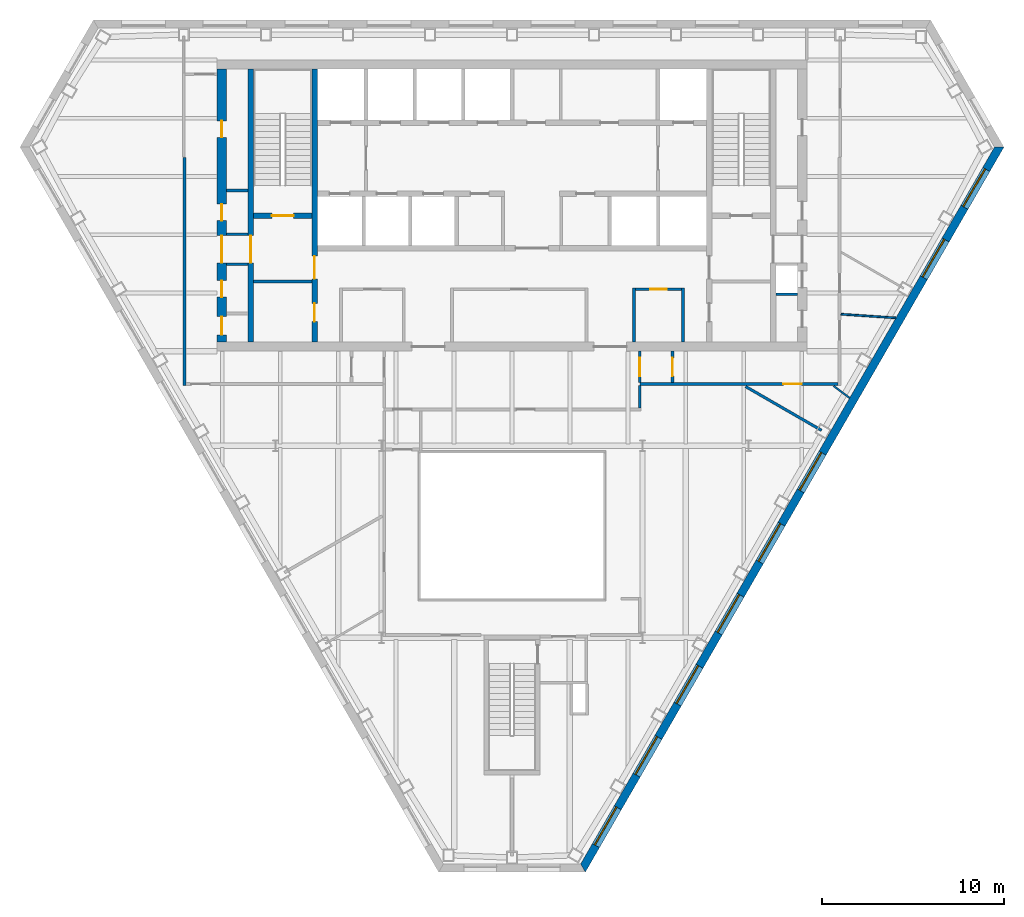
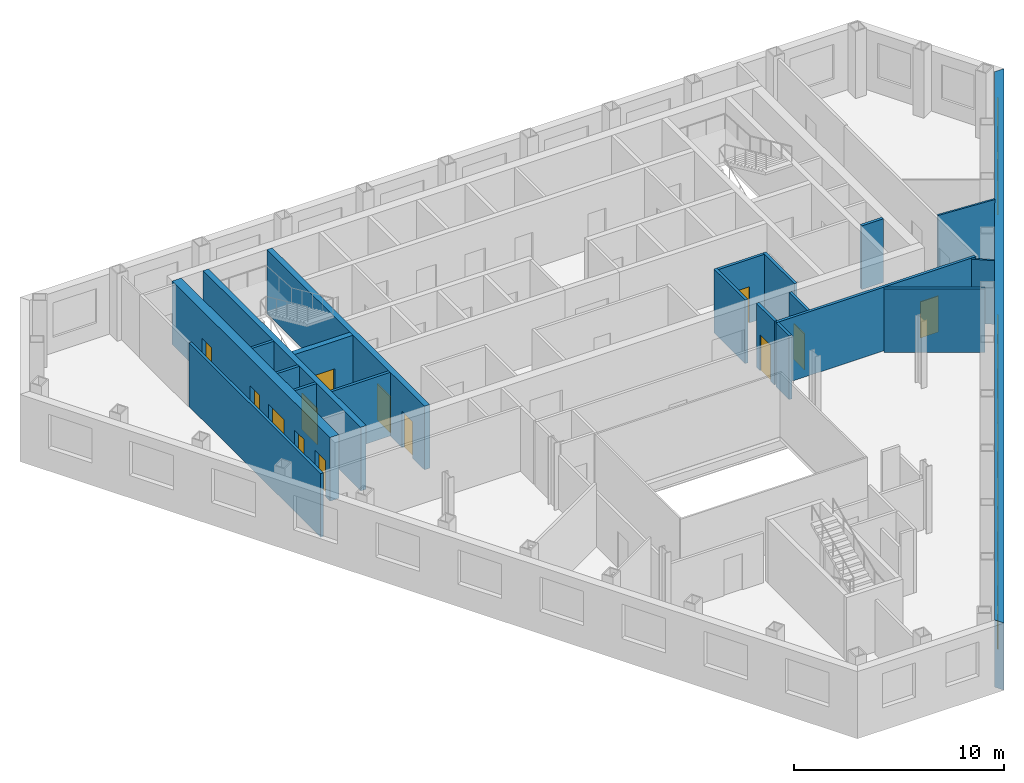
# One storey, part 5 of 11: 21 walls, 13 doors, 8 windows, 21 openings.
"""IFC4 building model written with IfcOpenShell, lengths in metres."""

from ifc_helpers import new_model, si_unit, direction, frame, frame_2d, origin, place, context, subcontext, project, spatial, polyline, rectangle, outline, extrude, material, layer, layer_set, type_object, element, fill, save


model = new_model("IFC4")

# Units and contexts
model_context = context("Model", 3, precision=1e-05, world=origin(), true_north=direction((0.0, 1.0)))
body_context = subcontext(model_context, "Body", "Model", "MODEL_VIEW")
ifc_project = project(units=[si_unit("LENGTHUNIT", "METRE"), si_unit("AREAUNIT", "SQUARE_METRE"), si_unit("VOLUMEUNIT", "CUBIC_METRE"), si_unit("PLANEANGLEUNIT", "RADIAN"), si_unit("MASSUNIT", "GRAM", prefix="KILO")], contexts=[model_context])

# Site, building, storey
site_placement = place(None, origin())
site = spatial("IfcSite", under=ifc_project, at=site_placement, CompositionType="ELEMENT")
building_placement = place(site_placement, origin())
building = spatial("IfcBuilding", under=site, at=building_placement, Name="Njiva Tower", CompositionType="ELEMENT")
storey_placement = place(building_placement, frame((0.0, 0.0, 178.8)))
storey = spatial("IfcBuildingStorey", under=building, at=storey_placement, Name="L39", CompositionType="ELEMENT", Elevation=178.8)

# Walls
ifc_material_1 = material(Name="Blockwork", Category="masonry")
ifc_layer_1 = layer(ifc_material_1, 0.15)
ifc_layer_set_1 = layer_set([ifc_layer_1], Name="Blockwork")
wall_type_1 = type_object("IfcWallType", Name="WT1 Compartment partition 150", PredefinedType="PARTITIONING", material=ifc_layer_set_1)
wall_1_placement = place(storey_placement, frame((-14.2, 5.825, 0.0), z_axis=(0.0, 0.0, 1.0), x_axis=(1.0, 0.0, 0.0)))
element("IfcWall", 1, at=wall_1_placement, inside=storey, type_object=wall_type_1, Name="Room wall A", PredefinedType="PARTITIONING", context=body_context, shape_type="SweptSolid", body=[
    extrude(rectangle(XDim=3.2, YDim=0.15, at=frame_2d((1.6, 0.0))), origin(), (0.0, 0.0, 1.0), 3.7),
])
for number, where, z_axis, x_axis, name in (
    (2, (6.7, 2.5, 0.0), (0.0, 0.0, 1.0), (0.0, 1.0, 0.0), "Information office wall west"),
    (3, (9.4, 2.5, 0.0), (0.0, 0.0, 1.0), (0.0, 1.0, 0.0), "Information office wall east"),
):
    element("IfcWall", number, at=place(storey_placement, frame(where, z_axis=z_axis, x_axis=x_axis)), inside=storey, type_object=wall_type_1, Name=name, PredefinedType="PARTITIONING", context=body_context, shape_type="SweptSolid", body=[
        extrude(rectangle(XDim=2.975, YDim=0.15, at=frame_2d((1.4875, 0.0))), origin(), (0.0, 0.0, 1.0), 3.7),
    ])

# Wall, opening, door
wall_2_placement = place(storey_placement, frame((6.775, 5.4, 0.0), z_axis=(0.0, 0.0, 1.0), x_axis=(1.0, 0.0, 0.0)))
wall_2 = element("IfcWall", 4, at=wall_2_placement, inside=storey, type_object=wall_type_1, Name="Information office wall north", PredefinedType="PARTITIONING", context=body_context, shape_type="SweptSolid", body=[
    extrude(rectangle(XDim=2.55, YDim=0.15, at=frame_2d((1.275, 0.0))), origin(), (0.0, 0.0, 1.0), 3.7),
])
opening_1_placement = place(wall_2_placement, frame((0.825, 0.0, 0.0)))
opening_1 = element("IfcOpeningElement", 5, at=opening_1_placement, cuts=wall_2, Name="Opening S13-D935", PredefinedType="OPENING", context=body_context, shape_type="SweptSolid", body=[
    extrude(rectangle(XDim=0.9, YDim=2.1, at=frame_2d((0.45, 1.05))), frame((0.0, 0.085, 0.0), z_axis=(0.0, -1.0, 0.0), x_axis=(1.0, 0.0, 0.0)), (0.0, 0.0, 1.0), 0.17),
])
ifc_material_2 = material(Name="Steel fire door, painted", Category="steel")
door_type_1 = type_object("IfcDoorType", Name="D6 Fire-rated door 900x2100", OperationType="SINGLE_SWING_LEFT", PredefinedType="DOOR", material=ifc_material_2)
door_1_placement = place(opening_1_placement, origin())
door_1 = element("IfcDoor", 6, at=door_1_placement, inside=storey, type_object=door_type_1, Name="Information office door", OperationType="SINGLE_SWING_RIGHT", OverallHeight=2.1, OverallWidth=0.9, PredefinedType="DOOR", context=body_context, shape_type="SweptSolid", body=[
    extrude(rectangle(XDim=0.9, YDim=2.1, at=frame_2d((0.45, 1.05))), frame((0.0, 0.025, 0.0), z_axis=(0.0, -1.0, 0.0), x_axis=(1.0, 0.0, 0.0)), (0.0, 0.0, 1.0), 0.05),
])
fill(opening_1, door_1)

# Wall, openings, doors
ifc_material_3 = material(Name="Concrete C40/50", Category="concrete")
ifc_layer_2 = layer(ifc_material_3, 0.3)
ifc_layer_set_2 = layer_set([ifc_layer_2], Name="Concrete C40/50")
wall_type_2 = type_object("IfcWallType", Name="WT10 Stair enclosure wall 300", PredefinedType="SHEAR", material=ifc_layer_set_2)
wall_3_placement = place(storey_placement, frame((-10.85, 2.5, 0.0), z_axis=(0.0, 0.0, 1.0), x_axis=(0.0, 1.0, 0.0)))
wall_3 = element("IfcWall", 7, at=wall_3_placement, inside=storey, type_object=wall_type_2, Name="Stair wall west inner", PredefinedType="SHEAR", context=body_context, shape_type="SweptSolid", body=[
    extrude(rectangle(XDim=15.0, YDim=0.3, at=frame_2d((7.5, 0.0))), origin(), (0.0, 0.0, 1.0), 3.7),
])
opening_2_placement = place(wall_3_placement, frame((3.475, 0.0, 0.0)))
opening_2 = element("IfcOpeningElement", 8, at=opening_2_placement, cuts=wall_3, Name="Opening S13-D915", PredefinedType="OPENING", context=body_context, shape_type="SweptSolid", body=[
    extrude(rectangle(XDim=1.25, YDim=2.1, at=frame_2d((0.625, 1.05))), frame((0.0, 0.16, 0.0), z_axis=(0.0, -1.0, 0.0), x_axis=(1.0, 0.0, 0.0)), (0.0, 0.0, 1.0), 0.32),
])
opening_3_placement = place(wall_3_placement, frame((1.125, 0.0, 0.0)))
opening_3 = element("IfcOpeningElement", 9, at=opening_3_placement, cuts=wall_3, Name="Opening S13-D916", PredefinedType="OPENING", context=body_context, shape_type="SweptSolid", body=[
    extrude(rectangle(XDim=1.0, YDim=2.1, at=frame_2d((0.5, 1.05))), frame((0.0, 0.16, 0.0), z_axis=(0.0, -1.0, 0.0), x_axis=(1.0, 0.0, 0.0)), (0.0, 0.0, 1.0), 0.32),
])
ifc_material_4 = material(Name="Steel door, painted", Category="steel")
door_type_2 = type_object("IfcDoorType", Name="D5 Steel door 1000x2100", OperationType="SINGLE_SWING_LEFT", PredefinedType="DOOR", material=ifc_material_4)
door_2_placement = place(opening_3_placement, origin())
door_2 = element("IfcDoor", 10, at=door_2_placement, inside=storey, type_object=door_type_2, Name="Reading room door", OperationType="SINGLE_SWING_RIGHT", OverallHeight=2.1, OverallWidth=1.0, PredefinedType="DOOR", context=body_context, shape_type="SweptSolid", body=[
    extrude(rectangle(XDim=1.0, YDim=2.1, at=frame_2d((0.5, 1.05))), frame((0.0, 0.025, 0.0), z_axis=(0.0, -1.0, 0.0), x_axis=(1.0, 0.0, 0.0)), (0.0, 0.0, 1.0), 0.05),
])
fill(opening_3, door_2)
ifc_material_5 = material(Name="Glazed steel fire door", Category="steel")
door_type_3 = type_object("IfcDoorType", Name="D8 Vestibule corridor door 1250x2100 glazed", OperationType="SINGLE_SWING_LEFT", PredefinedType="DOOR", material=ifc_material_5)
door_3_placement = place(opening_2_placement, origin())
door_3 = element("IfcDoor", 11, at=door_3_placement, inside=storey, type_object=door_type_3, Name="Stair vestibule corridor door", OperationType="SINGLE_SWING_LEFT", OverallHeight=2.1, OverallWidth=1.25, PredefinedType="DOOR", context=body_context, shape_type="SweptSolid", body=[
    extrude(rectangle(XDim=1.25, YDim=2.1, at=frame_2d((0.625, 1.05))), frame((0.0, 0.025, 0.0), z_axis=(0.0, -1.0, 0.0), x_axis=(1.0, 0.0, 0.0)), (0.0, 0.0, 1.0), 0.05),
])
fill(opening_2, door_3)

# Wall, opening, door
wall_4_placement = place(storey_placement, frame((-14.35, 2.5, 0.0), z_axis=(0.0, 0.0, 1.0), x_axis=(0.0, 1.0, 0.0)))
wall_4 = element("IfcWall", 12, at=wall_4_placement, inside=storey, type_object=wall_type_2, Name="Stair wall west outer", PredefinedType="SHEAR", context=body_context, shape_type="SweptSolid", body=[
    extrude(rectangle(XDim=15.0, YDim=0.3, at=frame_2d((7.5, 0.0))), origin(), (0.0, 0.0, 1.0), 3.7),
])
opening_4_placement = place(wall_4_placement, frame((4.35, 0.0, 0.0)))
opening_4 = element("IfcOpeningElement", 13, at=opening_4_placement, cuts=wall_4, Name="Opening S13-D921", PredefinedType="OPENING", context=body_context, shape_type="SweptSolid", body=[
    extrude(rectangle(XDim=1.5, YDim=2.1, at=frame_2d((0.75, 1.05))), frame((0.0, 0.16, 0.0), z_axis=(0.0, -1.0, 0.0), x_axis=(1.0, 0.0, 0.0)), (0.0, 0.0, 1.0), 0.32),
])
door_type_4 = type_object("IfcDoorType", Name="D10 Exit door double 1500x2100 glazed", OperationType="DOUBLE_DOOR_SINGLE_SWING", PredefinedType="DOOR", material=ifc_material_5)
door_4_placement = place(opening_4_placement, origin())
door_4 = element("IfcDoor", 14, at=door_4_placement, inside=storey, type_object=door_type_4, Name="Stair A passage door", OperationType="DOUBLE_DOOR_SINGLE_SWING", OverallHeight=2.1, OverallWidth=1.5, PredefinedType="DOOR", context=body_context, shape_type="SweptSolid", body=[
    extrude(rectangle(XDim=1.5, YDim=2.1, at=frame_2d((0.75, 1.05))), frame((0.0, 0.025, 0.0), z_axis=(0.0, -1.0, 0.0), x_axis=(1.0, 0.0, 0.0)), (0.0, 0.0, 1.0), 0.05),
])
fill(opening_4, door_4)

wall_5_placement = place(storey_placement, frame((-14.2, 9.45, 0.0), z_axis=(0.0, 0.0, 1.0), x_axis=(1.0, 0.0, 0.0)))
wall_5 = element("IfcWall", 15, at=wall_5_placement, inside=storey, type_object=wall_type_2, Name="Stair A south wall", PredefinedType="SHEAR", context=body_context, shape_type="SweptSolid", body=[
    extrude(rectangle(XDim=3.2, YDim=0.3, at=frame_2d((1.6, 0.0))), origin(), (0.0, 0.0, 1.0), 3.7),
])
opening_5_placement = place(wall_5_placement, frame((1.0, 0.0, 0.0)))
opening_5 = element("IfcOpeningElement", 16, at=opening_5_placement, cuts=wall_5, Name="Opening S13-D914", PredefinedType="OPENING", context=body_context, shape_type="SweptSolid", body=[
    extrude(rectangle(XDim=1.2, YDim=2.1, at=frame_2d((0.6, 1.05))), frame((0.0, 0.16, 0.0), z_axis=(0.0, -1.0, 0.0), x_axis=(1.0, 0.0, 0.0)), (0.0, 0.0, 1.0), 0.32),
])
door_type_5 = type_object("IfcDoorType", Name="D7 Stair vestibule door 1200x2100 glazed", OperationType="SINGLE_SWING_LEFT", PredefinedType="DOOR", material=ifc_material_5)
door_5_placement = place(opening_5_placement, origin())
door_5 = element("IfcDoor", 17, at=door_5_placement, inside=storey, type_object=door_type_5, Name="Stair A door", OperationType="SINGLE_SWING_LEFT", OverallHeight=2.1, OverallWidth=1.2, PredefinedType="DOOR", context=body_context, shape_type="SweptSolid", body=[
    extrude(rectangle(XDim=1.2, YDim=2.1, at=frame_2d((0.6, 1.05))), frame((0.0, 0.025, 0.0), z_axis=(0.0, -1.0, 0.0), x_axis=(1.0, 0.0, 0.0)), (0.0, 0.0, 1.0), 0.05),
])
fill(opening_5, door_5)

# Wall, openings, doors
ifc_material_6 = material(Name="Concrete C60/75", Category="concrete")
ifc_layer_3 = layer(ifc_material_6, 0.5)
ifc_layer_set_3 = layer_set([ifc_layer_3], Name="Concrete C60/75")
wall_type_3 = type_object("IfcWallType", Name="WT13 Core wall 500", PredefinedType="SHEAR", material=ifc_layer_set_3)
wall_6_placement = place(storey_placement, frame((-15.95, 2.5, 0.0), z_axis=(0.0, 0.0, 1.0), x_axis=(0.0, 1.0, 0.0)))
wall_6 = element("IfcWall", 18, at=wall_6_placement, inside=storey, type_object=wall_type_3, Name="Core wall west", PredefinedType="SHEAR", context=body_context, shape_type="SweptSolid", body=[
    extrude(rectangle(XDim=15.0, YDim=0.5, at=frame_2d((7.5, 0.0))), origin(), (0.0, 0.0, 1.0), 3.7),
])
opening_6_placement = place(wall_6_placement, frame((4.35, 0.0, 0.0)))
opening_6 = element("IfcOpeningElement", 19, at=opening_6_placement, cuts=wall_6, Name="Opening S13-D922", PredefinedType="OPENING", context=body_context, shape_type="SweptSolid", body=[
    extrude(rectangle(XDim=1.5, YDim=2.1, at=frame_2d((0.75, 1.05))), frame((0.0, 0.26, 0.0), z_axis=(0.0, -1.0, 0.0), x_axis=(1.0, 0.0, 0.0)), (0.0, 0.0, 1.0), 0.52),
])
opening_7_placement = place(wall_6_placement, frame((0.4, 0.0, 0.0)))
opening_7 = element("IfcOpeningElement", 20, at=opening_7_placement, cuts=wall_6, Name="Opening S13-D923", PredefinedType="OPENING", context=body_context, shape_type="SweptSolid", body=[
    extrude(rectangle(XDim=1.0, YDim=2.1, at=frame_2d((0.5, 1.05))), frame((0.0, 0.26, 0.0), z_axis=(0.0, -1.0, 0.0), x_axis=(1.0, 0.0, 0.0)), (0.0, 0.0, 1.0), 0.52),
])
opening_8_placement = place(wall_6_placement, frame((2.475, 0.0, 0.0)))
opening_8 = element("IfcOpeningElement", 21, at=opening_8_placement, cuts=wall_6, Name="Opening S13-D924", PredefinedType="OPENING", context=body_context, shape_type="SweptSolid", body=[
    extrude(rectangle(XDim=0.9, YDim=2.1, at=frame_2d((0.45, 1.05))), frame((0.0, 0.26, 0.0), z_axis=(0.0, -1.0, 0.0), x_axis=(1.0, 0.0, 0.0)), (0.0, 0.0, 1.0), 0.52),
])
opening_9_placement = place(wall_6_placement, frame((6.6773, 0.0, 0.0)))
opening_9 = element("IfcOpeningElement", 22, at=opening_9_placement, cuts=wall_6, Name="Opening S13-D925", PredefinedType="OPENING", context=body_context, shape_type="SweptSolid", body=[
    extrude(rectangle(XDim=0.9, YDim=2.1, at=frame_2d((0.45, 1.05))), frame((0.0, 0.26, 0.0), z_axis=(0.0, -1.0, 0.0), x_axis=(1.0, 0.0, 0.0)), (0.0, 0.0, 1.0), 0.52),
])
opening_10_placement = place(wall_6_placement, frame((11.2523, 0.0, 0.0)))
opening_10 = element("IfcOpeningElement", 23, at=opening_10_placement, cuts=wall_6, Name="Opening S13-D926", PredefinedType="OPENING", context=body_context, shape_type="SweptSolid", body=[
    extrude(rectangle(XDim=0.9, YDim=2.1, at=frame_2d((0.45, 1.05))), frame((0.0, 0.26, 0.0), z_axis=(0.0, -1.0, 0.0), x_axis=(1.0, 0.0, 0.0)), (0.0, 0.0, 1.0), 0.52),
])
door_6_placement = place(opening_6_placement, origin())
door_6 = element("IfcDoor", 24, at=door_6_placement, inside=storey, type_object=door_type_4, Name="Stair A corridor door", OperationType="DOUBLE_DOOR_SINGLE_SWING", OverallHeight=2.1, OverallWidth=1.5, PredefinedType="DOOR", context=body_context, shape_type="SweptSolid", body=[
    extrude(rectangle(XDim=1.5, YDim=2.1, at=frame_2d((0.75, 1.05))), frame((0.0, 0.025, 0.0), z_axis=(0.0, -1.0, 0.0), x_axis=(1.0, 0.0, 0.0)), (0.0, 0.0, 1.0), 0.05),
])
fill(opening_6, door_6)
door_type_6 = type_object("IfcDoorType", Name="D4 Riser door 900x2100", OperationType="SINGLE_SWING_LEFT", PredefinedType="DOOR", material=ifc_material_4)
door_7_placement = place(opening_9_placement, origin())
door_7 = element("IfcDoor", 25, at=door_7_placement, inside=storey, type_object=door_type_6, Name="Cable riser door", OperationType="SINGLE_SWING_RIGHT", OverallHeight=2.1, OverallWidth=0.9, PredefinedType="DOOR", context=body_context, shape_type="SweptSolid", body=[
    extrude(rectangle(XDim=0.9, YDim=2.1, at=frame_2d((0.45, 1.05))), frame((0.0, 0.025, 0.0), z_axis=(0.0, -1.0, 0.0), x_axis=(1.0, 0.0, 0.0)), (0.0, 0.0, 1.0), 0.05),
])
fill(opening_9, door_7)
door_8_placement = place(opening_7_placement, origin())
door_8 = element("IfcDoor", 26, at=door_8_placement, inside=storey, type_object=door_type_2, Name="Electrical room door", OperationType="SINGLE_SWING_RIGHT", OverallHeight=2.1, OverallWidth=1.0, PredefinedType="DOOR", context=body_context, shape_type="SweptSolid", body=[
    extrude(rectangle(XDim=1.0, YDim=2.1, at=frame_2d((0.5, 1.05))), frame((0.0, 0.025, 0.0), z_axis=(0.0, -1.0, 0.0), x_axis=(1.0, 0.0, 0.0)), (0.0, 0.0, 1.0), 0.05),
])
fill(opening_7, door_8)
door_9_placement = place(opening_8_placement, origin())
door_9 = element("IfcDoor", 27, at=door_9_placement, inside=storey, type_object=door_type_1, Name="Cable store door", OperationType="SINGLE_SWING_RIGHT", OverallHeight=2.1, OverallWidth=0.9, PredefinedType="DOOR", context=body_context, shape_type="SweptSolid", body=[
    extrude(rectangle(XDim=0.9, YDim=2.1, at=frame_2d((0.45, 1.05))), frame((0.0, 0.025, 0.0), z_axis=(0.0, -1.0, 0.0), x_axis=(1.0, 0.0, 0.0)), (0.0, 0.0, 1.0), 0.05),
])
fill(opening_8, door_9)
door_10_placement = place(opening_10_placement, origin())
door_10 = element("IfcDoor", 28, at=door_10_placement, inside=storey, type_object=door_type_1, Name="Cable store door", OperationType="SINGLE_SWING_LEFT", OverallHeight=2.1, OverallWidth=0.9, PredefinedType="DOOR", context=body_context, shape_type="SweptSolid", body=[
    extrude(rectangle(XDim=0.9, YDim=2.1, at=frame_2d((0.45, 1.05))), frame((0.0, 0.025, 0.0), z_axis=(0.0, -1.0, 0.0), x_axis=(1.0, 0.0, 0.0)), (0.0, 0.0, 1.0), 0.05),
])
fill(opening_10, door_10)

# Walls
ifc_material_7 = material(Name="Gypsum board on steel studs", Category="gypsum")
ifc_layer_4 = layer(ifc_material_7, 0.1)
ifc_layer_set_4 = layer_set([ifc_layer_4], Name="Gypsum board on steel studs")
wall_type_4 = type_object("IfcWallType", Name="WT20 Gypsum partition 100", PredefinedType="PARTITIONING", material=ifc_layer_set_4)
wall_7_placement = place(storey_placement, frame((17.678, 0.085, 0.0), z_axis=(0.0, 0.0, 1.0), x_axis=(0.8020803948, -0.597216075033, 0.0)))
element("IfcWall", 29, at=wall_7_placement, inside=storey, type_object=wall_type_4, Name="Partition S13-P026", PredefinedType="PARTITIONING", context=body_context, shape_type="SweptSolid", body=[
    extrude(rectangle(XDim=1.0934, YDim=0.1, at=frame_2d((0.5467, 0.0))), origin(), (0.0, 0.0, 1.0), 3.7),
])
wall_8_placement = place(storey_placement, frame((18.078, 4.033, 0.0), z_axis=(0.0, 0.0, 1.0), x_axis=(0.997764616993, -0.066826410024, 0.0)))
element("IfcWall", 30, at=wall_8_placement, inside=storey, type_object=wall_type_4, Name="Partition S13-P029", PredefinedType="PARTITIONING", context=body_context, shape_type="SweptSolid", body=[
    extrude(rectangle(XDim=3.0228, YDim=0.1, at=frame_2d((1.5114, 0.0))), origin(), (0.0, 0.0, 1.0), 3.7),
])
ifc_layer_5 = layer(ifc_material_7, 0.15)
ifc_layer_set_5 = layer_set([ifc_layer_5], Name="Gypsum board on steel studs")
wall_type_5 = type_object("IfcWallType", Name="WT21 Compartment wall 150", PredefinedType="PARTITIONING", material=ifc_layer_set_5)
wall_9_placement = place(storey_placement, frame((-18.0, 0.125, 0.0), z_axis=(0.0, 0.0, 1.0), x_axis=(0.0, 1.0, 0.0)))
element("IfcWall", 31, at=wall_9_placement, inside=storey, type_object=wall_type_5, Name="Partition S13-P003", PredefinedType="PARTITIONING", context=body_context, shape_type="SweptSolid", body=[
    extrude(rectangle(XDim=12.532, YDim=0.15, at=frame_2d((6.266, 0.0))), origin(), (0.0, 0.0, 1.0), 3.7),
])
wall_10_placement = place(storey_placement, frame((7.02, -1.125, 0.0), z_axis=(0.0, 0.0, 1.0), x_axis=(0.0, 1.0, 0.0)))
element("IfcWall", 32, at=wall_10_placement, inside=storey, type_object=wall_type_5, Name="Partition S13-P020", PredefinedType="PARTITIONING", context=body_context, shape_type="SweptSolid", body=[
    extrude(rectangle(XDim=1.25, YDim=0.15, at=frame_2d((0.625, 0.0))), origin(), (0.0, 0.0, 1.0), 3.7),
])

# Wall, opening, door
wall_11_placement = place(storey_placement, frame((7.02, 0.2, 0.0), z_axis=(0.0, 0.0, 1.0), x_axis=(1.0, 0.0, 0.0)))
wall_11 = element("IfcWall", 33, at=wall_11_placement, inside=storey, type_object=wall_type_5, Name="Partition S13-P021", PredefinedType="PARTITIONING", context=body_context, shape_type="SweptSolid", body=[
    extrude(rectangle(XDim=10.905, YDim=0.15, at=frame_2d((5.4525, 0.0))), origin(), (0.0, 0.0, 1.0), 3.7),
])
opening_11_placement = place(wall_11_placement, frame((7.891, 0.0, 0.0)))
opening_11 = element("IfcOpeningElement", 34, at=opening_11_placement, cuts=wall_11, Name="Opening S13-D010", PredefinedType="OPENING", context=body_context, shape_type="SweptSolid", body=[
    extrude(rectangle(XDim=1.0, YDim=2.1, at=frame_2d((0.5, 1.05))), frame((0.0, 0.085, 0.0), z_axis=(0.0, -1.0, 0.0), x_axis=(1.0, 0.0, 0.0)), (0.0, 0.0, 1.0), 0.17),
])
ifc_material_8 = material(Name="Steel fire door set", Category="steel")
door_type_7 = type_object("IfcDoorType", Name="D37 Fire door 1000x2100", OperationType="SINGLE_SWING_LEFT", PredefinedType="DOOR", material=ifc_material_8)
door_11_placement = place(opening_11_placement, origin())
door_11 = element("IfcDoor", 35, at=door_11_placement, inside=storey, type_object=door_type_7, Name="Door S13-D010", OperationType="SINGLE_SWING_RIGHT", OverallHeight=2.1, OverallWidth=1.0, PredefinedType="DOOR", context=body_context, shape_type="SweptSolid", body=[
    extrude(rectangle(XDim=1.0, YDim=2.1, at=frame_2d((0.5, 1.05))), frame((0.0, 0.025, 0.0), z_axis=(0.0, -1.0, 0.0), x_axis=(1.0, 0.0, 0.0)), (0.0, 0.0, 1.0), 0.05),
])
fill(opening_11, door_11)

wall_12_placement = place(storey_placement, frame((7.02, 0.275, 0.0), z_axis=(0.0, 0.0, 1.0), x_axis=(0.0, 1.0, 0.0)))
wall_12 = element("IfcWall", 36, at=wall_12_placement, inside=storey, type_object=wall_type_5, Name="Partition S13-P022", PredefinedType="PARTITIONING", context=body_context, shape_type="SweptSolid", body=[
    extrude(rectangle(XDim=1.725, YDim=0.15, at=frame_2d((0.8625, 0.0))), origin(), (0.0, 0.0, 1.0), 3.7),
])
opening_12_placement = place(wall_12_placement, frame((0.362, 0.0, 0.0)))
opening_12 = element("IfcOpeningElement", 37, at=opening_12_placement, cuts=wall_12, Name="Opening S13-D011", PredefinedType="OPENING", context=body_context, shape_type="SweptSolid", body=[
    extrude(rectangle(XDim=1.0, YDim=2.1, at=frame_2d((0.5, 1.05))), frame((0.0, 0.085, 0.0), z_axis=(0.0, -1.0, 0.0), x_axis=(1.0, 0.0, 0.0)), (0.0, 0.0, 1.0), 0.17),
])
door_12_placement = place(opening_12_placement, origin())
door_12 = element("IfcDoor", 38, at=door_12_placement, inside=storey, type_object=door_type_7, Name="Door S13-D011", OperationType="SINGLE_SWING_LEFT", OverallHeight=2.1, OverallWidth=1.0, PredefinedType="DOOR", context=body_context, shape_type="SweptSolid", body=[
    extrude(rectangle(XDim=1.0, YDim=2.1, at=frame_2d((0.5, 1.05))), frame((0.0, 0.025, 0.0), z_axis=(0.0, -1.0, 0.0), x_axis=(1.0, 0.0, 0.0)), (0.0, 0.0, 1.0), 0.05),
])
fill(opening_12, door_12)

wall_13_placement = place(storey_placement, frame((8.82, 0.275, 0.0), z_axis=(0.0, 0.0, 1.0), x_axis=(0.0, 1.0, 0.0)))
wall_13 = element("IfcWall", 39, at=wall_13_placement, inside=storey, type_object=wall_type_5, Name="Partition S13-P023", PredefinedType="PARTITIONING", context=body_context, shape_type="SweptSolid", body=[
    extrude(rectangle(XDim=1.725, YDim=0.15, at=frame_2d((0.8625, 0.0))), origin(), (0.0, 0.0, 1.0), 3.7),
])
opening_13_placement = place(wall_13_placement, frame((0.363, 0.0, 0.0)))
opening_13 = element("IfcOpeningElement", 40, at=opening_13_placement, cuts=wall_13, Name="Opening S13-D012", PredefinedType="OPENING", context=body_context, shape_type="SweptSolid", body=[
    extrude(rectangle(XDim=1.0, YDim=2.1, at=frame_2d((0.5, 1.05))), frame((0.0, 0.085, 0.0), z_axis=(0.0, -1.0, 0.0), x_axis=(1.0, 0.0, 0.0)), (0.0, 0.0, 1.0), 0.17),
])
door_13_placement = place(opening_13_placement, origin())
door_13 = element("IfcDoor", 41, at=door_13_placement, inside=storey, type_object=door_type_7, Name="Door S13-D012", OperationType="SINGLE_SWING_RIGHT", OverallHeight=2.1, OverallWidth=1.0, PredefinedType="DOOR", context=body_context, shape_type="SweptSolid", body=[
    extrude(rectangle(XDim=1.0, YDim=2.1, at=frame_2d((0.5, 1.05))), frame((0.0, 0.025, 0.0), z_axis=(0.0, -1.0, 0.0), x_axis=(1.0, 0.0, 0.0)), (0.0, 0.0, 1.0), 0.05),
])
fill(opening_13, door_13)

# Walls
wall_14_placement = place(storey_placement, frame((12.836, 0.06, 0.0), z_axis=(0.0, 0.0, 1.0), x_axis=(0.866088799389, -0.499890179513, 0.0)))
element("IfcWall", 42, at=wall_14_placement, inside=storey, type_object=wall_type_5, Name="Partition S13-P024", PredefinedType="PARTITIONING", context=body_context, shape_type="SweptSolid", body=[
    extrude(rectangle(XDim=4.8171, YDim=0.15, at=frame_2d((2.4086, 0.0))), origin(), (0.0, 0.0, 1.0), 3.7),
])
ifc_layer_6 = layer(ifc_material_1, 0.15)
ifc_layer_set_6 = layer_set([ifc_layer_6], Name="Blockwork")
wall_type_6 = type_object("IfcWallType", Name="WT3 Riser partition 150", PredefinedType="PARTITIONING", material=ifc_layer_set_6)
for number, where, z_axis, x_axis, name in (
    (43, (-15.7, 10.8295, 0.0), (0.0, 0.0, 1.0), (1.0, 0.0, 0.0), "Partition strip W10"),
    (44, (14.5, 5.125, 0.0), (0.0, 0.0, 1.0), (1.0, 0.0, 0.0), "Partition strip E00"),
):
    element("IfcWall", number, at=place(storey_placement, frame(where, z_axis=z_axis, x_axis=x_axis)), inside=storey, type_object=wall_type_6, Name=name, PredefinedType="PARTITIONING", context=body_context, shape_type="SweptSolid", body=[
        extrude(rectangle(XDim=1.2, YDim=0.15, at=frame_2d((0.6, 0.0))), origin(), (0.0, 0.0, 1.0), 3.7),
    ])
ifc_layer_7 = layer(ifc_material_1, 0.15)
ifc_layer_set_7 = layer_set([ifc_layer_7], Name="Blockwork")
wall_type_7 = type_object("IfcWallType", Name="WT4 Stair partition 150", PredefinedType="PARTITIONING", material=ifc_layer_set_7)
for number, where, z_axis, x_axis, name in (
    (45, (-15.7, 6.775, 0.0), (0.0, 0.0, 1.0), (1.0, 0.0, 0.0), "Stair A exit passage wall south"),
    (46, (-15.7, 8.425, 0.0), (0.0, 0.0, 1.0), (1.0, 0.0, 0.0), "Stair A exit passage wall north"),
):
    element("IfcWall", number, at=place(storey_placement, frame(where, z_axis=z_axis, x_axis=x_axis)), inside=storey, type_object=wall_type_7, Name=name, PredefinedType="PARTITIONING", context=body_context, shape_type="SweptSolid", body=[
        extrude(rectangle(XDim=1.2, YDim=0.15, at=frame_2d((0.6, 0.0))), origin(), (0.0, 0.0, 1.0), 3.7),
    ])

# Wall, openings, windows
ifc_material_9 = material(Name="Brick masonry", Category="masonry")
ifc_layer_8 = layer(ifc_material_9, 0.45)
ifc_layer_set_8 = layer_set([ifc_layer_8], Name="Brick masonry")
wall_type_8 = type_object("IfcWallType", Name="WT90 Brick pier and spandrel wall 450", PredefinedType="SOLIDWALL", material=ifc_layer_set_8)
wall_15_placement = place(storey_placement, frame((3.9001, -26.401, -0.4), z_axis=(0.0, 0.0, 1.0), x_axis=(0.500000335318, 0.866025210188, 0.0)))
wall_15 = element("IfcWall", 47, at=wall_15_placement, inside=storey, type_object=wall_type_8, Name="Facade wall SE", PredefinedType="SOLIDWALL", context=body_context, shape_type="SweptSolid", body=[
    extrude(outline(polyline([(-0.1299, -0.225), (45.8801, -0.225), (45.6203, 0.225), (0.1299, 0.225), (-0.1299, -0.225)])), origin(), (0.0, 0.0, 1.0), 3.9),
])
opening_14_placement = place(wall_15_placement, frame((1.4247, 0.0, 1.3)))
opening_14 = element("IfcOpeningElement", 48, at=opening_14_placement, cuts=wall_15, Name="Opening S13-W24", PredefinedType="OPENING", context=body_context, shape_type="SweptSolid", body=[
    extrude(rectangle(XDim=2.4, YDim=2.0, at=frame_2d((1.2, 1.0))), frame((0.0, 0.235, 0.0), z_axis=(0.0, -1.0, 0.0), x_axis=(1.0, 0.0, 0.0)), (0.0, 0.0, 1.0), 0.47),
])
opening_15_placement = place(wall_15_placement, frame((5.8949, 0.0, 1.3)))
opening_15 = element("IfcOpeningElement", 49, at=opening_15_placement, cuts=wall_15, Name="Opening S13-W25", PredefinedType="OPENING", context=body_context, shape_type="SweptSolid", body=[
    extrude(rectangle(XDim=2.4, YDim=2.0, at=frame_2d((1.2, 1.0))), frame((0.0, 0.235, 0.0), z_axis=(0.0, -1.0, 0.0), x_axis=(1.0, 0.0, 0.0)), (0.0, 0.0, 1.0), 0.47),
])
opening_16_placement = place(wall_15_placement, frame((10.4035, 0.0, 1.3)))
opening_16 = element("IfcOpeningElement", 50, at=opening_16_placement, cuts=wall_15, Name="Opening S13-W26", PredefinedType="OPENING", context=body_context, shape_type="SweptSolid", body=[
    extrude(rectangle(XDim=2.4, YDim=2.0, at=frame_2d((1.2, 1.0))), frame((0.0, 0.235, 0.0), z_axis=(0.0, -1.0, 0.0), x_axis=(1.0, 0.0, 0.0)), (0.0, 0.0, 1.0), 0.47),
])
opening_17_placement = place(wall_15_placement, frame((14.9122, 0.0, 1.3)))
opening_17 = element("IfcOpeningElement", 51, at=opening_17_placement, cuts=wall_15, Name="Opening S13-W27", PredefinedType="OPENING", context=body_context, shape_type="SweptSolid", body=[
    extrude(rectangle(XDim=2.4, YDim=2.0, at=frame_2d((1.2, 1.0))), frame((0.0, 0.235, 0.0), z_axis=(0.0, -1.0, 0.0), x_axis=(1.0, 0.0, 0.0)), (0.0, 0.0, 1.0), 0.47),
])
opening_18_placement = place(wall_15_placement, frame((19.4208, 0.0, 1.3)))
opening_18 = element("IfcOpeningElement", 52, at=opening_18_placement, cuts=wall_15, Name="Opening S13-W28", PredefinedType="OPENING", context=body_context, shape_type="SweptSolid", body=[
    extrude(rectangle(XDim=2.4, YDim=2.0, at=frame_2d((1.2, 1.0))), frame((0.0, 0.235, 0.0), z_axis=(0.0, -1.0, 0.0), x_axis=(1.0, 0.0, 0.0)), (0.0, 0.0, 1.0), 0.47),
])
opening_19_placement = place(wall_15_placement, frame((23.9294, 0.0, 1.3)))
opening_19 = element("IfcOpeningElement", 53, at=opening_19_placement, cuts=wall_15, Name="Opening S13-W29", PredefinedType="OPENING", context=body_context, shape_type="SweptSolid", body=[
    extrude(rectangle(XDim=2.4, YDim=2.0, at=frame_2d((1.2, 1.0))), frame((0.0, 0.235, 0.0), z_axis=(0.0, -1.0, 0.0), x_axis=(1.0, 0.0, 0.0)), (0.0, 0.0, 1.0), 0.47),
])
opening_20_placement = place(wall_15_placement, frame((37.4553, 0.0, 1.3)))
opening_20 = element("IfcOpeningElement", 54, at=opening_20_placement, cuts=wall_15, Name="Opening S13-W30", PredefinedType="OPENING", context=body_context, shape_type="SweptSolid", body=[
    extrude(rectangle(XDim=2.4, YDim=2.0, at=frame_2d((1.2, 1.0))), frame((0.0, 0.235, 0.0), z_axis=(0.0, -1.0, 0.0), x_axis=(1.0, 0.0, 0.0)), (0.0, 0.0, 1.0), 0.47),
])
opening_21_placement = place(wall_15_placement, frame((41.9255, 0.0, 1.3)))
opening_21 = element("IfcOpeningElement", 55, at=opening_21_placement, cuts=wall_15, Name="Opening S13-W31", PredefinedType="OPENING", context=body_context, shape_type="SweptSolid", body=[
    extrude(rectangle(XDim=2.4, YDim=2.0, at=frame_2d((1.2, 1.0))), frame((0.0, 0.235, 0.0), z_axis=(0.0, -1.0, 0.0), x_axis=(1.0, 0.0, 0.0)), (0.0, 0.0, 1.0), 0.47),
])
ifc_material_10 = material(Name="Clear glazing in aluminium frame", Category="aluminium")
window_type = type_object("IfcWindowType", Name="W90 Deep-set window 2400x2000", PartitioningType="SINGLE_PANEL", PredefinedType="WINDOW", material=ifc_material_10)
window_1_placement = place(opening_14_placement, origin())
window_1 = element("IfcWindow", 56, at=window_1_placement, inside=storey, type_object=window_type, Name="Window", OverallHeight=2.0, OverallWidth=2.4, PartitioningType="SINGLE_PANEL", PredefinedType="WINDOW", context=body_context, shape_type="SweptSolid", body=[
    extrude(rectangle(XDim=2.4, YDim=2.0, at=frame_2d((1.2, 1.0))), frame((0.0, 0.105, 0.0), z_axis=(0.0, -1.0, 0.0), x_axis=(1.0, 0.0, 0.0)), (0.0, 0.0, 1.0), 0.06),
])
fill(opening_14, window_1)
window_2_placement = place(opening_15_placement, origin())
window_2 = element("IfcWindow", 57, at=window_2_placement, inside=storey, type_object=window_type, Name="Window", OverallHeight=2.0, OverallWidth=2.4, PartitioningType="SINGLE_PANEL", PredefinedType="WINDOW", context=body_context, shape_type="SweptSolid", body=[
    extrude(rectangle(XDim=2.4, YDim=2.0, at=frame_2d((1.2, 1.0))), frame((0.0, 0.105, 0.0), z_axis=(0.0, -1.0, 0.0), x_axis=(1.0, 0.0, 0.0)), (0.0, 0.0, 1.0), 0.06),
])
fill(opening_15, window_2)
window_3_placement = place(opening_16_placement, origin())
window_3 = element("IfcWindow", 58, at=window_3_placement, inside=storey, type_object=window_type, Name="Window", OverallHeight=2.0, OverallWidth=2.4, PartitioningType="SINGLE_PANEL", PredefinedType="WINDOW", context=body_context, shape_type="SweptSolid", body=[
    extrude(rectangle(XDim=2.4, YDim=2.0, at=frame_2d((1.2, 1.0))), frame((0.0, 0.105, 0.0), z_axis=(0.0, -1.0, 0.0), x_axis=(1.0, 0.0, 0.0)), (0.0, 0.0, 1.0), 0.06),
])
fill(opening_16, window_3)
window_4_placement = place(opening_17_placement, origin())
window_4 = element("IfcWindow", 59, at=window_4_placement, inside=storey, type_object=window_type, Name="Window", OverallHeight=2.0, OverallWidth=2.4, PartitioningType="SINGLE_PANEL", PredefinedType="WINDOW", context=body_context, shape_type="SweptSolid", body=[
    extrude(rectangle(XDim=2.4, YDim=2.0, at=frame_2d((1.2, 1.0))), frame((0.0, 0.105, 0.0), z_axis=(0.0, -1.0, 0.0), x_axis=(1.0, 0.0, 0.0)), (0.0, 0.0, 1.0), 0.06),
])
fill(opening_17, window_4)
window_5_placement = place(opening_18_placement, origin())
window_5 = element("IfcWindow", 60, at=window_5_placement, inside=storey, type_object=window_type, Name="Window", OverallHeight=2.0, OverallWidth=2.4, PartitioningType="SINGLE_PANEL", PredefinedType="WINDOW", context=body_context, shape_type="SweptSolid", body=[
    extrude(rectangle(XDim=2.4, YDim=2.0, at=frame_2d((1.2, 1.0))), frame((0.0, 0.105, 0.0), z_axis=(0.0, -1.0, 0.0), x_axis=(1.0, 0.0, 0.0)), (0.0, 0.0, 1.0), 0.06),
])
fill(opening_18, window_5)
window_6_placement = place(opening_19_placement, origin())
window_6 = element("IfcWindow", 61, at=window_6_placement, inside=storey, type_object=window_type, Name="Window", OverallHeight=2.0, OverallWidth=2.4, PartitioningType="SINGLE_PANEL", PredefinedType="WINDOW", context=body_context, shape_type="SweptSolid", body=[
    extrude(rectangle(XDim=2.4, YDim=2.0, at=frame_2d((1.2, 1.0))), frame((0.0, 0.105, 0.0), z_axis=(0.0, -1.0, 0.0), x_axis=(1.0, 0.0, 0.0)), (0.0, 0.0, 1.0), 0.06),
])
fill(opening_19, window_6)
window_7_placement = place(opening_20_placement, origin())
window_7 = element("IfcWindow", 62, at=window_7_placement, inside=storey, type_object=window_type, Name="Window", OverallHeight=2.0, OverallWidth=2.4, PartitioningType="SINGLE_PANEL", PredefinedType="WINDOW", context=body_context, shape_type="SweptSolid", body=[
    extrude(rectangle(XDim=2.4, YDim=2.0, at=frame_2d((1.2, 1.0))), frame((0.0, 0.105, 0.0), z_axis=(0.0, -1.0, 0.0), x_axis=(1.0, 0.0, 0.0)), (0.0, 0.0, 1.0), 0.06),
])
fill(opening_20, window_7)
window_8_placement = place(opening_21_placement, origin())
window_8 = element("IfcWindow", 63, at=window_8_placement, inside=storey, type_object=window_type, Name="Window", OverallHeight=2.0, OverallWidth=2.4, PartitioningType="SINGLE_PANEL", PredefinedType="WINDOW", context=body_context, shape_type="SweptSolid", body=[
    extrude(rectangle(XDim=2.4, YDim=2.0, at=frame_2d((1.2, 1.0))), frame((0.0, 0.105, 0.0), z_axis=(0.0, -1.0, 0.0), x_axis=(1.0, 0.0, 0.0)), (0.0, 0.0, 1.0), 0.06),
])
fill(opening_21, window_8)

save(model, "model.ifc")
